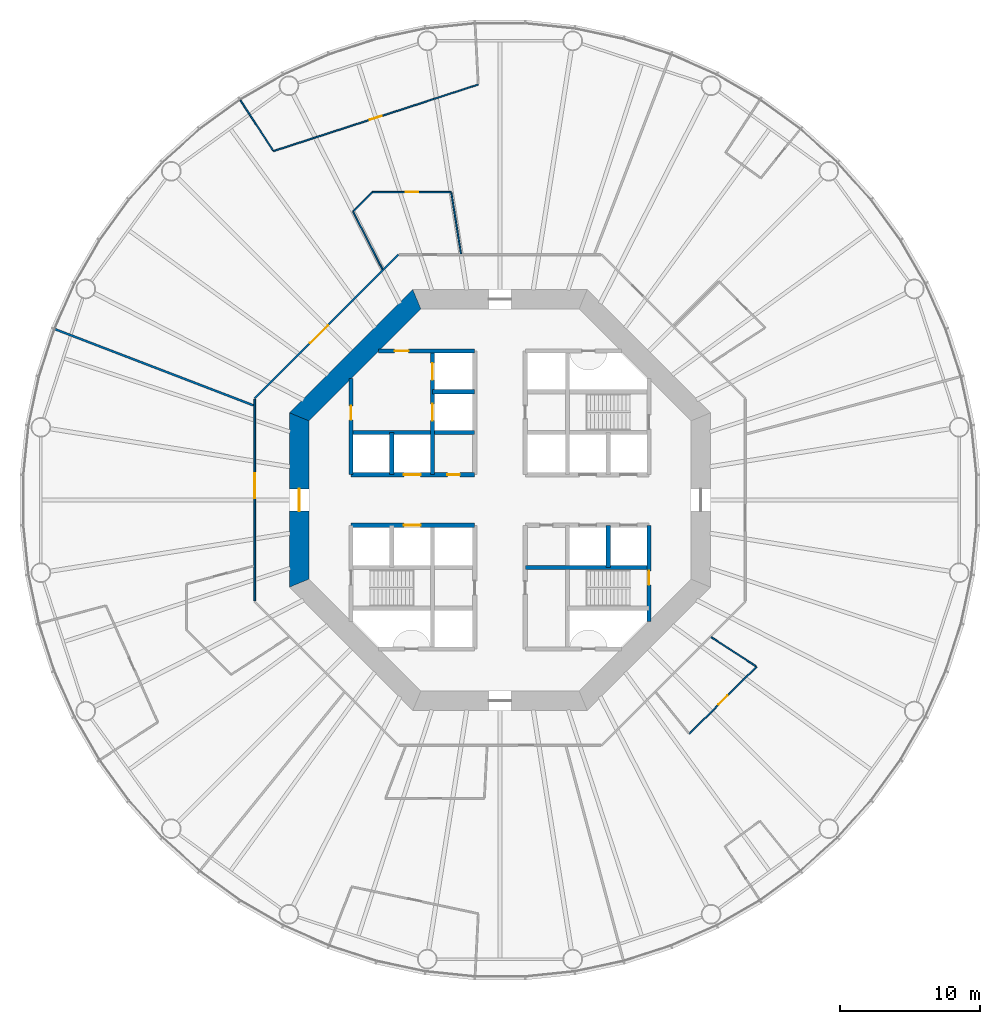
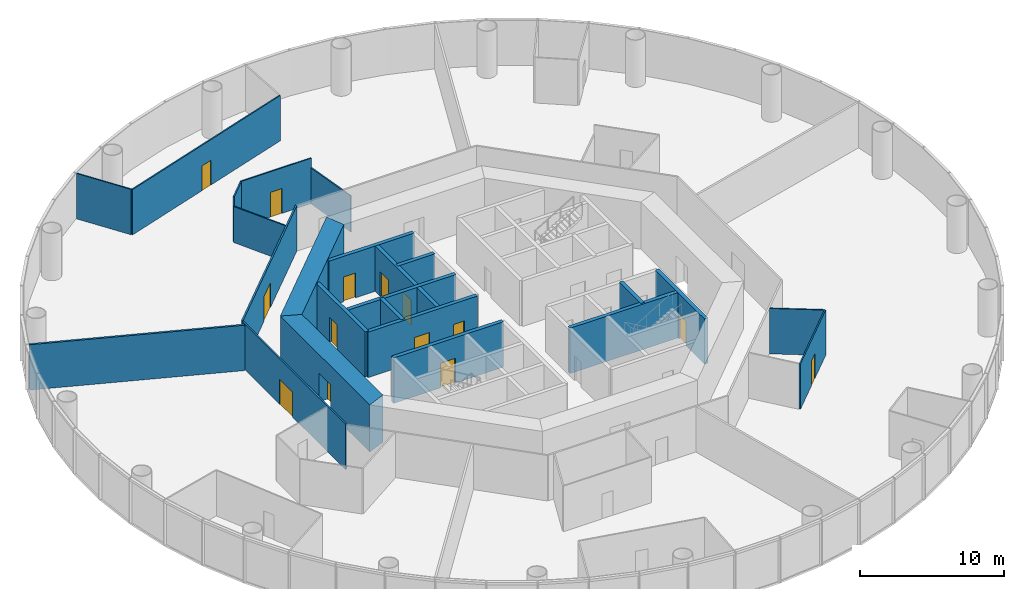
# One storey, part 4 of 13: 24 walls, 14 doors, 14 openings.
"""IFC4 building model written with IfcOpenShell, lengths in metres."""

from ifc_helpers import new_model, si_unit, direction, frame, frame_2d, origin, place, context, subcontext, project, spatial, polyline, rectangle, outline, extrude, material, layer, layer_set, type_object, element, fill, save


model = new_model("IFC4")

# Units and contexts
model_context = context("Model", 3, precision=1e-05, world=origin(), true_north=direction((0.0, 1.0)))
body_context = subcontext(model_context, "Body", "Model", "MODEL_VIEW")
ifc_project = project(units=[si_unit("LENGTHUNIT", "METRE"), si_unit("AREAUNIT", "SQUARE_METRE"), si_unit("VOLUMEUNIT", "CUBIC_METRE"), si_unit("PLANEANGLEUNIT", "RADIAN"), si_unit("MASSUNIT", "GRAM", prefix="KILO")], contexts=[model_context])

# Site, building, storey
site_placement = place(None, origin())
site = spatial("IfcSite", under=ifc_project, at=site_placement, CompositionType="ELEMENT")
building_placement = place(site_placement, origin())
building = spatial("IfcBuilding", under=site, at=building_placement, Name="Entoto Ring Tower", CompositionType="ELEMENT")
storey_placement = place(building_placement, frame((0.0, 0.0, 26.0)))
storey = spatial("IfcBuildingStorey", under=building, at=storey_placement, Name="L04", CompositionType="ELEMENT", Elevation=26.0)

# Wall, opening, door
ifc_material_1 = material(Name="Concrete C40/50", Category="concrete")
ifc_layer_1 = layer(ifc_material_1, 0.300048828125)
ifc_layer_set_1 = layer_set([ifc_layer_1], Name="Concrete C40/50")
wall_type_1 = type_object("IfcWallType", Name="Core enclosure wall 300 mm reinforced concrete", PredefinedType="SOLIDWALL", material=ifc_layer_set_1)
wall_1_placement = place(storey_placement, frame((100.60009765625, 71.36669921875, 0.0), z_axis=(0.0, 0.0, 1.0), x_axis=(0.0, 1.0, 0.0)))
wall_1 = element("IfcWall", 1, at=wall_1_placement, inside=storey, type_object=wall_type_1, Name="wall-L04-001", PredefinedType="SOLIDWALL", context=body_context, shape_type="SweptSolid", body=[
    extrude(rectangle(XDim=6.833251953125, YDim=0.300048828125, at=frame_2d((3.41650390625, 0.0))), origin(), (0.0, 0.0, 1.0), 3.85009765625),
])
opening_1_placement = place(wall_1_placement, frame((2.583251953125, 0.0, 0.0)))
opening_1 = element("IfcOpeningElement", 2, at=opening_1_placement, cuts=wall_1, Name="Opening K-59", PredefinedType="OPENING", context=body_context, shape_type="SweptSolid", body=[
    extrude(rectangle(XDim=1.0, YDim=2.10009765625, at=frame_2d((0.5, 1.050048828125))), frame((0.0, 0.16015625, 0.0), z_axis=(0.0, -1.0, 0.0), x_axis=(1.0, 0.0, 0.0)), (0.0, 0.0, 1.0), 0.320068359375),
])
ifc_material_2 = material(Name="Steel door leaf, fire rated", Category="steel")
ifc_layer_2 = layer(ifc_material_2, 0.050048828125)
ifc_layer_set_2 = layer_set([ifc_layer_2], Name="Steel door leaf, fire rated")
door_type_1 = type_object("IfcDoorType", Name="Fire door FD60 1000 x 2100 single leaf", OperationType="NOTDEFINED", PredefinedType="DOOR", material=ifc_layer_set_2)
door_1_placement = place(opening_1_placement, origin())
door_1 = element("IfcDoor", 3, at=door_1_placement, inside=storey, type_object=door_type_1, Name="Door K-59", OperationType="SINGLE_SWING_RIGHT", OverallHeight=2.10009765625, OverallWidth=1.0, PredefinedType="DOOR", context=body_context, shape_type="SweptSolid", body=[
    extrude(rectangle(XDim=1.0, YDim=2.10009765625, at=frame_2d((0.5, 1.050048828125))), frame((0.0, 0.02490234375, 0.0), z_axis=(0.0, -1.0, 0.0), x_axis=(1.0, 0.0, 0.0)), (0.0, 0.0, 1.0), 0.050048828125),
])
fill(opening_1, door_1)

# Wall
wall_2_placement = place(storey_placement, frame((97.699951171875, 75.199951171875, 0.0), z_axis=(0.0, 0.0, 1.0), x_axis=(0.0, 1.0, 0.0)))
element("IfcWall", 4, at=wall_2_placement, inside=storey, type_object=wall_type_1, Name="wall-L04-003", PredefinedType="SOLIDWALL", context=body_context, shape_type="SweptSolid", body=[
    extrude(rectangle(XDim=3.0, YDim=0.300048828125, at=frame_2d((1.5, 0.0))), origin(), (0.0, 0.0, 1.0), 3.85009765625),
])

# Wall, openings, doors
wall_3_placement = place(storey_placement, frame((85.199951171875, 81.800048828125, 0.0), z_axis=(0.0, 0.0, 1.0), x_axis=(0.0, 1.0, 0.0)))
wall_3 = element("IfcWall", 5, at=wall_3_placement, inside=storey, type_object=wall_type_1, Name="wall-L04-012", PredefinedType="SOLIDWALL", context=body_context, shape_type="SweptSolid", body=[
    extrude(rectangle(XDim=8.800048828125, YDim=0.300048828125, at=frame_2d((4.39990234375, 0.0))), origin(), (0.0, 0.0, 1.0), 3.85009765625),
])
opening_2_placement = place(wall_3_placement, frame((3.85009765625, 0.0, 0.0)))
opening_2 = element("IfcOpeningElement", 6, at=opening_2_placement, cuts=wall_3, Name="Opening LD", PredefinedType="OPENING", context=body_context, shape_type="SweptSolid", body=[
    extrude(rectangle(XDim=1.199951171875, YDim=2.10009765625, at=frame_2d((0.60009765625, 1.050048828125))), frame((0.0, 0.16015625, 0.0), z_axis=(0.0, -1.0, 0.0), x_axis=(1.0, 0.0, 0.0)), (0.0, 0.0, 1.0), 0.320068359375),
])
opening_3_placement = place(wall_3_placement, frame((6.75, 0.0, 0.0)))
opening_3 = element("IfcOpeningElement", 7, at=opening_3_placement, cuts=wall_3, Name="Opening LD", PredefinedType="OPENING", context=body_context, shape_type="SweptSolid", body=[
    extrude(rectangle(XDim=1.199951171875, YDim=2.10009765625, at=frame_2d((0.60009765625, 1.050048828125))), frame((0.0, 0.16015625, 0.0), z_axis=(0.0, -1.0, 0.0), x_axis=(1.0, 0.0, 0.0)), (0.0, 0.0, 1.0), 0.320068359375),
])
ifc_material_3 = material(Name="Steel and glass door leaf", Category="steel")
ifc_layer_3 = layer(ifc_material_3, 0.050048828125)
ifc_layer_set_3 = layer_set([ifc_layer_3], Name="Steel and glass door leaf")
door_type_2 = type_object("IfcDoorType", Name="Landing door 1200 x 2100 sliding", OperationType="DOUBLE_DOOR_SLIDING", PredefinedType="DOOR", material=ifc_layer_set_3)
door_2_placement = place(opening_2_placement, origin())
door_2 = element("IfcDoor", 8, at=door_2_placement, inside=storey, type_object=door_type_2, Name="Landing door FF1", OperationType="SLIDING_TO_RIGHT", OverallHeight=2.10009765625, OverallWidth=1.199951171875, PredefinedType="DOOR", context=body_context, shape_type="SweptSolid", body=[
    extrude(rectangle(XDim=1.199951171875, YDim=2.10009765625, at=frame_2d((0.60009765625, 1.050048828125))), frame((0.0, 0.02490234375, 0.0), z_axis=(0.0, -1.0, 0.0), x_axis=(1.0, 0.0, 0.0)), (0.0, 0.0, 1.0), 0.050048828125),
])
fill(opening_2, door_2)
door_3_placement = place(opening_3_placement, origin())
door_3 = element("IfcDoor", 9, at=door_3_placement, inside=storey, type_object=door_type_2, Name="Landing door FF2", OperationType="SLIDING_TO_RIGHT", OverallHeight=2.10009765625, OverallWidth=1.199951171875, PredefinedType="DOOR", context=body_context, shape_type="SweptSolid", body=[
    extrude(rectangle(XDim=1.199951171875, YDim=2.10009765625, at=frame_2d((0.60009765625, 1.050048828125))), frame((0.0, 0.02490234375, 0.0), z_axis=(0.0, -1.0, 0.0), x_axis=(1.0, 0.0, 0.0)), (0.0, 0.0, 1.0), 0.050048828125),
])
fill(opening_3, door_3)

# Wall
wall_4_placement = place(storey_placement, frame((82.300048828125, 81.800048828125, 0.0), z_axis=(0.0, 0.0, 1.0), x_axis=(0.0, 1.0, 0.0)))
element("IfcWall", 10, at=wall_4_placement, inside=storey, type_object=wall_type_1, Name="wall-L04-014", PredefinedType="SOLIDWALL", context=body_context, shape_type="SweptSolid", body=[
    extrude(rectangle(XDim=3.0, YDim=0.300048828125, at=frame_2d((1.5, 0.0))), origin(), (0.0, 0.0, 1.0), 3.85009765625),
])

# Wall, opening, door
wall_5_placement = place(storey_placement, frame((79.39990234375, 81.800048828125, 0.0), z_axis=(0.0, 0.0, 1.0), x_axis=(0.0, 1.0, 0.0)))
wall_5 = element("IfcWall", 11, at=wall_5_placement, inside=storey, type_object=wall_type_1, Name="wall-L04-016", PredefinedType="SOLIDWALL", context=body_context, shape_type="SweptSolid", body=[
    extrude(rectangle(XDim=6.833251953125, YDim=0.300048828125, at=frame_2d((3.41650390625, 0.0))), origin(), (0.0, 0.0, 1.0), 3.85009765625),
])
opening_4_placement = place(wall_5_placement, frame((3.89990234375, 0.0, 0.0)))
opening_4 = element("IfcOpeningElement", 12, at=opening_4_placement, cuts=wall_5, Name="Opening K-22", PredefinedType="OPENING", context=body_context, shape_type="SweptSolid", body=[
    extrude(rectangle(XDim=1.0, YDim=2.10009765625, at=frame_2d((0.5, 1.050048828125))), frame((0.0, 0.16015625, 0.0), z_axis=(0.0, -1.0, 0.0), x_axis=(1.0, 0.0, 0.0)), (0.0, 0.0, 1.0), 0.320068359375),
])
door_4_placement = place(opening_4_placement, frame((1.0, 0.0, 0.0), z_axis=(0.0, 0.0, 1.0), x_axis=(-1.0, 0.0, 0.0)))
door_4 = element("IfcDoor", 13, at=door_4_placement, inside=storey, type_object=door_type_1, Name="Door K-22", OperationType="SINGLE_SWING_LEFT", OverallHeight=2.10009765625, OverallWidth=1.0, PredefinedType="DOOR", context=body_context, shape_type="SweptSolid", body=[
    extrude(rectangle(XDim=1.0, YDim=2.10009765625, at=frame_2d((0.5, 1.050048828125))), frame((0.0, 0.02490234375, 0.0), z_axis=(0.0, -1.0, 0.0), x_axis=(1.0, 0.0, 0.0)), (0.0, 0.0, 1.0), 0.050048828125),
])
fill(opening_4, door_4)

# Wall
wall_6_placement = place(storey_placement, frame((91.800048828125, 75.199951171875, 0.0), z_axis=(0.0, 0.0, 1.0), x_axis=(1.0, 0.0, 0.0)))
element("IfcWall", 14, at=wall_6_placement, inside=storey, type_object=wall_type_1, Name="wall-L04-022", PredefinedType="SOLIDWALL", context=body_context, shape_type="SweptSolid", body=[
    extrude(rectangle(XDim=8.800048828125, YDim=0.300048828125, at=frame_2d((4.39990234375, 0.0))), origin(), (0.0, 0.0, 1.0), 3.85009765625),
])

# Wall, opening, door
wall_7_placement = place(storey_placement, frame((79.39990234375, 78.199951171875, 0.0), z_axis=(0.0, 0.0, 1.0), x_axis=(1.0, 0.0, 0.0)))
wall_7 = element("IfcWall", 15, at=wall_7_placement, inside=storey, type_object=wall_type_1, Name="wall-L04-023", PredefinedType="SOLIDWALL", context=body_context, shape_type="SweptSolid", body=[
    extrude(rectangle(XDim=8.800048828125, YDim=0.300048828125, at=frame_2d((4.39990234375, 0.0))), origin(), (0.0, 0.0, 1.0), 3.85009765625),
])
opening_5_placement = place(wall_7_placement, frame((3.75, 0.0, 0.0)))
opening_5 = element("IfcOpeningElement", 16, at=opening_5_placement, cuts=wall_7, Name="Opening LD", PredefinedType="OPENING", context=body_context, shape_type="SweptSolid", body=[
    extrude(rectangle(XDim=1.199951171875, YDim=2.10009765625, at=frame_2d((0.60009765625, 1.050048828125))), frame((0.0, 0.16015625, 0.0), z_axis=(0.0, -1.0, 0.0), x_axis=(1.0, 0.0, 0.0)), (0.0, 0.0, 1.0), 0.320068359375),
])
door_5_placement = place(opening_5_placement, origin())
door_5 = element("IfcDoor", 17, at=door_5_placement, inside=storey, type_object=door_type_2, Name="Landing door LB6-LR", OperationType="SLIDING_TO_RIGHT", OverallHeight=2.10009765625, OverallWidth=1.199951171875, PredefinedType="DOOR", context=body_context, shape_type="SweptSolid", body=[
    extrude(rectangle(XDim=1.199951171875, YDim=2.10009765625, at=frame_2d((0.60009765625, 1.050048828125))), frame((0.0, 0.02490234375, 0.0), z_axis=(0.0, -1.0, 0.0), x_axis=(1.0, 0.0, 0.0)), (0.0, 0.0, 1.0), 0.050048828125),
])
fill(opening_5, door_5)

# Wall, openings, doors
wall_8_placement = place(storey_placement, frame((79.39990234375, 81.800048828125, 0.0), z_axis=(0.0, 0.0, 1.0), x_axis=(1.0, 0.0, 0.0)))
wall_8 = element("IfcWall", 18, at=wall_8_placement, inside=storey, type_object=wall_type_1, Name="wall-L04-025", PredefinedType="SOLIDWALL", context=body_context, shape_type="SweptSolid", body=[
    extrude(rectangle(XDim=8.800048828125, YDim=0.300048828125, at=frame_2d((4.39990234375, 0.0))), origin(), (0.0, 0.0, 1.0), 3.85009765625),
])
opening_6_placement = place(wall_8_placement, frame((3.75, 0.0, 0.0)))
opening_6 = element("IfcOpeningElement", 19, at=opening_6_placement, cuts=wall_8, Name="Opening LD", PredefinedType="OPENING", context=body_context, shape_type="SweptSolid", body=[
    extrude(rectangle(XDim=1.199951171875, YDim=2.10009765625, at=frame_2d((0.60009765625, 1.050048828125))), frame((0.0, 0.16015625, 0.0), z_axis=(0.0, -1.0, 0.0), x_axis=(1.0, 0.0, 0.0)), (0.0, 0.0, 1.0), 0.320068359375),
])
opening_7_placement = place(wall_8_placement, frame((6.85009765625, 0.0, 0.0)))
opening_7 = element("IfcOpeningElement", 20, at=opening_7_placement, cuts=wall_8, Name="Opening K-14", PredefinedType="OPENING", context=body_context, shape_type="SweptSolid", body=[
    extrude(rectangle(XDim=0.89990234375, YDim=2.10009765625, at=frame_2d((0.449951171875, 1.050048828125))), frame((0.0, 0.16015625, 0.0), z_axis=(0.0, -1.0, 0.0), x_axis=(1.0, 0.0, 0.0)), (0.0, 0.0, 1.0), 0.320068359375),
])
ifc_material_4 = material(Name="Steel door leaf, fire rated", Category="steel")
ifc_layer_4 = layer(ifc_material_4, 0.050048828125)
ifc_layer_set_4 = layer_set([ifc_layer_4], Name="Steel door leaf, fire rated")
door_type_3 = type_object("IfcDoorType", Name="Core door 900 x 2100 single leaf", OperationType="NOTDEFINED", PredefinedType="DOOR", material=ifc_layer_set_4)
door_6_placement = place(opening_7_placement, frame((0.89990234375, 0.0, 0.0), z_axis=(0.0, 0.0, 1.0), x_axis=(-1.0, 0.0, 0.0)))
door_6 = element("IfcDoor", 21, at=door_6_placement, inside=storey, type_object=door_type_3, Name="Door K-14", OperationType="SINGLE_SWING_RIGHT", OverallHeight=2.10009765625, OverallWidth=0.89990234375, PredefinedType="DOOR", context=body_context, shape_type="SweptSolid", body=[
    extrude(rectangle(XDim=0.89990234375, YDim=2.10009765625, at=frame_2d((0.449951171875, 1.050048828125))), frame((0.0, 0.02490234375, 0.0), z_axis=(0.0, -1.0, 0.0), x_axis=(1.0, 0.0, 0.0)), (0.0, 0.0, 1.0), 0.050048828125),
])
fill(opening_7, door_6)
door_7_placement = place(opening_6_placement, origin())
door_7 = element("IfcDoor", 22, at=door_7_placement, inside=storey, type_object=door_type_2, Name="Landing door LB3-LR", OperationType="SLIDING_TO_RIGHT", OverallHeight=2.10009765625, OverallWidth=1.199951171875, PredefinedType="DOOR", context=body_context, shape_type="SweptSolid", body=[
    extrude(rectangle(XDim=1.199951171875, YDim=2.10009765625, at=frame_2d((0.60009765625, 1.050048828125))), frame((0.0, 0.02490234375, 0.0), z_axis=(0.0, -1.0, 0.0), x_axis=(1.0, 0.0, 0.0)), (0.0, 0.0, 1.0), 0.050048828125),
])
fill(opening_6, door_7)

# Walls
wall_9_placement = place(storey_placement, frame((79.39990234375, 84.800048828125, 0.0), z_axis=(0.0, 0.0, 1.0), x_axis=(1.0, 0.0, 0.0)))
element("IfcWall", 23, at=wall_9_placement, inside=storey, type_object=wall_type_1, Name="wall-L04-027", PredefinedType="SOLIDWALL", context=body_context, shape_type="SweptSolid", body=[
    extrude(rectangle(XDim=8.800048828125, YDim=0.300048828125, at=frame_2d((4.39990234375, 0.0))), origin(), (0.0, 0.0, 1.0), 3.85009765625),
])
wall_10_placement = place(storey_placement, frame((85.199951171875, 87.699951171875, 0.0), z_axis=(0.0, 0.0, 1.0), x_axis=(1.0, 0.0, 0.0)))
element("IfcWall", 24, at=wall_10_placement, inside=storey, type_object=wall_type_1, Name="wall-L04-029", PredefinedType="SOLIDWALL", context=body_context, shape_type="SweptSolid", body=[
    extrude(rectangle(XDim=3.0, YDim=0.300048828125, at=frame_2d((1.5, 0.0))), origin(), (0.0, 0.0, 1.0), 3.85009765625),
])

# Wall, opening, door
wall_11_placement = place(storey_placement, frame((81.36669921875, 90.60009765625, 0.0), z_axis=(0.0, 0.0, 1.0), x_axis=(1.0, 0.0, 0.0)))
wall_11 = element("IfcWall", 25, at=wall_11_placement, inside=storey, type_object=wall_type_1, Name="wall-L04-031", PredefinedType="SOLIDWALL", context=body_context, shape_type="SweptSolid", body=[
    extrude(rectangle(XDim=6.833251953125, YDim=0.300048828125, at=frame_2d((3.41650390625, 0.0))), origin(), (0.0, 0.0, 1.0), 3.85009765625),
])
opening_8_placement = place(wall_11_placement, frame((1.13330078125, 0.0, 0.0)))
opening_8 = element("IfcOpeningElement", 26, at=opening_8_placement, cuts=wall_11, Name="Opening K-23", PredefinedType="OPENING", context=body_context, shape_type="SweptSolid", body=[
    extrude(rectangle(XDim=1.0, YDim=2.10009765625, at=frame_2d((0.5, 1.050048828125))), frame((0.0, 0.16015625, 0.0), z_axis=(0.0, -1.0, 0.0), x_axis=(1.0, 0.0, 0.0)), (0.0, 0.0, 1.0), 0.320068359375),
])
door_8_placement = place(opening_8_placement, frame((1.0, 0.0, 0.0), z_axis=(0.0, 0.0, 1.0), x_axis=(-1.0, 0.0, 0.0)))
door_8 = element("IfcDoor", 27, at=door_8_placement, inside=storey, type_object=door_type_1, Name="Door K-23", OperationType="SINGLE_SWING_RIGHT", OverallHeight=2.10009765625, OverallWidth=1.0, PredefinedType="DOOR", context=body_context, shape_type="SweptSolid", body=[
    extrude(rectangle(XDim=1.0, YDim=2.10009765625, at=frame_2d((0.5, 1.050048828125))), frame((0.0, 0.02490234375, 0.0), z_axis=(0.0, -1.0, 0.0), x_axis=(1.0, 0.0, 0.0)), (0.0, 0.0, 1.0), 0.050048828125),
])
fill(opening_8, door_8)

# Wall
ifc_material_5 = material(Name="Concrete C60/75", Category="concrete")
ifc_layer_5 = layer(ifc_material_5, 1.39990234375)
ifc_layer_set_5 = layer_set([ifc_layer_5], Name="Concrete C60/75")
wall_type_2 = type_object("IfcWallType", Name="Core shear wall 1400 mm reinforced concrete C60/75", PredefinedType="SHEAR", material=ifc_layer_set_5)
wall_12_placement = place(storey_placement, frame((84.07666015625, 94.300048828125, 0.0), z_axis=(0.0, 0.0, 1.0), x_axis=(-0.707106781187, -0.707106781187, 0.0)))
element("IfcWall", 28, at=wall_12_placement, inside=storey, type_object=wall_type_2, Name="wall-L04-core-3", PredefinedType="SHEAR", context=body_context, shape_type="SweptSolid", body=[
    extrude(outline(polyline([(-0.2900390625, -0.699951171875), (12.136474609375, -0.699951171875), (11.556396484375, 0.699951171875), (0.2900390625, 0.699951171875), (-0.2900390625, -0.699951171875)])), origin(), (0.0, 0.0, 1.0), 4.0),
])

# Wall, opening, door
wall_13_placement = place(storey_placement, frame((75.699951171875, 85.92333984375, 0.0), z_axis=(0.0, 0.0, 1.0), x_axis=(0.0, -1.0, 0.0)))
wall_13 = element("IfcWall", 29, at=wall_13_placement, inside=storey, type_object=wall_type_2, Name="wall-L04-core-4", PredefinedType="SHEAR", context=body_context, shape_type="SweptSolid", body=[
    extrude(outline(polyline([(-0.2900390625, -0.699951171875), (12.13671875, -0.699951171875), (11.556640625, 0.699951171875), (0.2900390625, 0.699951171875), (-0.2900390625, -0.699951171875)])), origin(), (0.0, 0.0, 1.0), 4.0),
])
opening_9_placement = place(wall_13_placement, frame((5.123291015625, 0.0, 0.0)))
opening_9 = element("IfcOpeningElement", 30, at=opening_9_placement, cuts=wall_13, Name="Opening K-03", PredefinedType="OPENING", context=body_context, shape_type="SweptSolid", body=[
    extrude(rectangle(XDim=1.60009765625, YDim=2.39990234375, at=frame_2d((0.800048828125, 1.199951171875))), frame((0.0, 0.7099609375, 0.0), z_axis=(0.0, -1.0, 0.0), x_axis=(1.0, 0.0, 0.0)), (0.0, 0.0, 1.0), 1.419921875),
])
ifc_material_6 = material(Name="Steel door leaf, fire rated", Category="steel")
ifc_layer_6 = layer(ifc_material_6, 0.050048828125)
ifc_layer_set_6 = layer_set([ifc_layer_6], Name="Steel door leaf, fire rated")
door_type_4 = type_object("IfcDoorType", Name="Entrance door FD60 1600 x 2400 double leaf", OperationType="DOUBLE_DOOR_SINGLE_SWING", PredefinedType="DOOR", material=ifc_layer_set_6)
door_9_placement = place(opening_9_placement, origin())
door_9 = element("IfcDoor", 31, at=door_9_placement, inside=storey, type_object=door_type_4, Name="Entrance door K-03", OperationType="DOUBLE_DOOR_SINGLE_SWING", OverallHeight=2.39990234375, OverallWidth=1.60009765625, PredefinedType="DOOR", context=body_context, shape_type="SweptSolid", body=[
    extrude(rectangle(XDim=1.60009765625, YDim=2.39990234375, at=frame_2d((0.800048828125, 1.199951171875))), frame((0.0, 0.02490234375, 0.0), z_axis=(0.0, -1.0, 0.0), x_axis=(1.0, 0.0, 0.0)), (0.0, 0.0, 1.0), 0.050048828125),
])
fill(opening_9, door_9)

ifc_material_7 = material(Name="Fire-resisting plasterboard on steel studs", Category="steel")
ifc_layer_7 = layer(ifc_material_7, 0.125)
ifc_layer_set_7 = layer_set([ifc_layer_7], Name="Fire-resisting plasterboard on steel studs")
wall_type_3 = type_object("IfcWallType", Name="Corridor wall 125 mm one-hour plasterboard on steel studs", PredefinedType="PARTITIONING", material=ifc_layer_set_7)
wall_14_placement = place(storey_placement, frame((72.53759765625, 87.233154296875, 0.0), z_axis=(0.0, 0.0, 1.0), x_axis=(0.707106781187, 0.707106781187, 0.0)))
wall_14 = element("IfcWall", 32, at=wall_14_placement, inside=storey, type_object=wall_type_3, Name="partition-L04-001", PredefinedType="PARTITIONING", context=body_context, shape_type="SweptSolid", body=[
    extrude(rectangle(XDim=14.46630859375, YDim=0.125, at=frame_2d((7.233154296875, 0.0))), origin(), (0.0, 0.0, 1.0), 3.85009765625),
])
opening_10_placement = place(wall_14_placement, frame((5.5537109375, 0.0, 0.0)))
opening_10 = element("IfcOpeningElement", 33, at=opening_10_placement, cuts=wall_14, Name="Opening A02-D01", PredefinedType="OPENING", context=body_context, shape_type="SweptSolid", body=[
    extrude(rectangle(XDim=1.800048828125, YDim=2.10009765625, at=frame_2d((0.89990234375, 1.050048828125))), frame((0.0, 0.072509765625, 0.0), z_axis=(0.0, -1.0, 0.0), x_axis=(1.0, 0.0, 0.0)), (0.0, 0.0, 1.0), 0.14501953125),
])
ifc_material_8 = material(Name="Fire-resisting timber door set", Category="wood")
door_type_5 = type_object("IfcDoorType", Name="Door 1800 x 2100 double leaf FD30S fire door", OperationType="DOUBLE_DOOR_SINGLE_SWING", PredefinedType="DOOR", material=ifc_material_8)
door_10_placement = place(opening_10_placement, frame((1.800048828125, 0.0, 0.0), z_axis=(0.0, 0.0, 1.0), x_axis=(-1.0, 0.0, 0.0)))
door_10 = element("IfcDoor", 34, at=door_10_placement, inside=storey, type_object=door_type_5, Name="Door A02-D01", OperationType="DOUBLE_DOOR_SINGLE_SWING", OverallHeight=2.10009765625, OverallWidth=1.800048828125, PredefinedType="DOOR", context=body_context, shape_type="SweptSolid", body=[
    extrude(rectangle(XDim=1.800048828125, YDim=2.10009765625, at=frame_2d((0.89990234375, 1.050048828125))), frame((0.0, 0.02490234375, 0.0), z_axis=(0.0, -1.0, 0.0), x_axis=(1.0, 0.0, 0.0)), (0.0, 0.0, 1.0), 0.050048828125),
])
fill(opening_10, door_10)

wall_15_placement = place(storey_placement, frame((72.53759765625, 72.810791015625, 0.0), z_axis=(0.0, 0.0, 1.0), x_axis=(0.0, 1.0, 0.0)))
wall_15 = element("IfcWall", 35, at=wall_15_placement, inside=storey, type_object=wall_type_3, Name="partition-L04-005", PredefinedType="PARTITIONING", context=body_context, shape_type="SweptSolid", body=[
    extrude(rectangle(XDim=14.37841796875, YDim=0.125, at=frame_2d((7.189208984375, 0.0))), origin(), (0.0, 0.0, 1.0), 3.85009765625),
])
opening_11_placement = place(wall_15_placement, frame((7.30126953125, 0.0, 0.0)))
opening_11 = element("IfcOpeningElement", 36, at=opening_11_placement, cuts=wall_15, Name="Opening A02-D05", PredefinedType="OPENING", context=body_context, shape_type="SweptSolid", body=[
    extrude(rectangle(XDim=1.800048828125, YDim=2.10009765625, at=frame_2d((0.89990234375, 1.050048828125))), frame((0.0, 0.072509765625, 0.0), z_axis=(0.0, -1.0, 0.0), x_axis=(1.0, 0.0, 0.0)), (0.0, 0.0, 1.0), 0.14501953125),
])
door_11_placement = place(opening_11_placement, origin())
door_11 = element("IfcDoor", 37, at=door_11_placement, inside=storey, type_object=door_type_5, Name="Door A02-D05", OperationType="DOUBLE_DOOR_SINGLE_SWING", OverallHeight=2.10009765625, OverallWidth=1.800048828125, PredefinedType="DOOR", context=body_context, shape_type="SweptSolid", body=[
    extrude(rectangle(XDim=1.800048828125, YDim=2.10009765625, at=frame_2d((0.89990234375, 1.050048828125))), frame((0.0, 0.02490234375, 0.0), z_axis=(0.0, -1.0, 0.0), x_axis=(1.0, 0.0, 0.0)), (0.0, 0.0, 1.0), 0.050048828125),
])
fill(opening_11, door_11)

ifc_material_9 = material(Name="Plasterboard on steel studs", Category="steel")
ifc_layer_8 = layer(ifc_material_9, 0.10009765625)
ifc_layer_set_8 = layer_set([ifc_layer_8], Name="Plasterboard on steel studs")
wall_type_4 = type_object("IfcWallType", Name="Partition 100 mm plasterboard on steel studs", PredefinedType="PARTITIONING", material=ifc_layer_set_8)
wall_16_placement = place(storey_placement, frame((73.867919921875, 104.84130859375, 0.0), z_axis=(0.0, 0.0, 1.0), x_axis=(0.951054076694, 0.309024502594, 0.0)))
wall_16 = element("IfcWall", 38, at=wall_16_placement, inside=storey, type_object=wall_type_4, Name="partition-L04-014", PredefinedType="PARTITIONING", context=body_context, shape_type="SweptSolid", body=[
    extrude(rectangle(XDim=15.332275390625, YDim=0.10009765625, at=frame_2d((7.666015625, 0.0))), origin(), (0.0, 0.0, 1.0), 3.85009765625),
])
opening_12_placement = place(wall_16_placement, frame((7.21630859375, 0.0, 0.0)))
opening_12 = element("IfcOpeningElement", 39, at=opening_12_placement, cuts=wall_16, Name="Opening A02-D04", PredefinedType="OPENING", context=body_context, shape_type="SweptSolid", body=[
    extrude(rectangle(XDim=0.89990234375, YDim=2.10009765625, at=frame_2d((0.449951171875, 1.050048828125))), frame((0.0, 0.06005859375, 0.0), z_axis=(0.0, -1.0, 0.0), x_axis=(1.0, 0.0, 0.0)), (0.0, 0.0, 1.0), 0.1201171875),
])
ifc_material_10 = material(Name="Veneered timber door leaf in timber frame", Category="wood")
door_type_6 = type_object("IfcDoorType", Name="Door 900 x 2100 single leaf timber veneer", OperationType="NOTDEFINED", PredefinedType="DOOR", material=ifc_material_10)
door_12_placement = place(opening_12_placement, origin())
door_12 = element("IfcDoor", 40, at=door_12_placement, inside=storey, type_object=door_type_6, Name="Door A02-D04", OperationType="SINGLE_SWING_LEFT", OverallHeight=2.10009765625, OverallWidth=0.89990234375, PredefinedType="DOOR", context=body_context, shape_type="SweptSolid", body=[
    extrude(rectangle(XDim=0.89990234375, YDim=2.10009765625, at=frame_2d((0.449951171875, 1.050048828125))), frame((0.0, 0.02490234375, 0.0), z_axis=(0.0, -1.0, 0.0), x_axis=(1.0, 0.0, 0.0)), (0.0, 0.0, 1.0), 0.050048828125),
])
fill(opening_12, door_12)

wall_17_placement = place(storey_placement, frame((103.47998046875, 63.353759765625, 0.0), z_axis=(0.0, 0.0, 1.0), x_axis=(0.707106781187, 0.707106781187, 0.0)))
wall_17 = element("IfcWall", 41, at=wall_17_placement, inside=storey, type_object=wall_type_4, Name="partition-L04-018", PredefinedType="PARTITIONING", context=body_context, shape_type="SweptSolid", body=[
    extrude(rectangle(XDim=6.766845703125, YDim=0.10009765625, at=frame_2d((3.38330078125, 0.0))), origin(), (0.0, 0.0, 1.0), 3.85009765625),
])
opening_13_placement = place(wall_17_placement, frame((2.93359375, 0.0, 0.0)))
opening_13 = element("IfcOpeningElement", 42, at=opening_13_placement, cuts=wall_17, Name="Opening A02-D12", PredefinedType="OPENING", context=body_context, shape_type="SweptSolid", body=[
    extrude(rectangle(XDim=0.89990234375, YDim=2.10009765625, at=frame_2d((0.449951171875, 1.050048828125))), frame((0.0, 0.06005859375, 0.0), z_axis=(0.0, -1.0, 0.0), x_axis=(1.0, 0.0, 0.0)), (0.0, 0.0, 1.0), 0.1201171875),
])
door_13_placement = place(opening_13_placement, origin())
door_13 = element("IfcDoor", 43, at=door_13_placement, inside=storey, type_object=door_type_6, Name="Door A02-D12", OperationType="SINGLE_SWING_RIGHT", OverallHeight=2.10009765625, OverallWidth=0.89990234375, PredefinedType="DOOR", context=body_context, shape_type="SweptSolid", body=[
    extrude(rectangle(XDim=0.89990234375, YDim=2.10009765625, at=frame_2d((0.449951171875, 1.050048828125))), frame((0.0, 0.02490234375, 0.0), z_axis=(0.0, -1.0, 0.0), x_axis=(1.0, 0.0, 0.0)), (0.0, 0.0, 1.0), 0.050048828125),
])
fill(opening_13, door_13)

wall_18_placement = place(storey_placement, frame((80.91943359375, 101.922607421875, 0.0), z_axis=(0.0, 0.0, 1.0), x_axis=(1.0, 0.0, 0.0)))
wall_18 = element("IfcWall", 44, at=wall_18_placement, inside=storey, type_object=wall_type_4, Name="partition-L04-019", PredefinedType="PARTITIONING", context=body_context, shape_type="SweptSolid", body=[
    extrude(rectangle(XDim=5.6083984375, YDim=0.10009765625, at=frame_2d((2.80419921875, 0.0))), origin(), (0.0, 0.0, 1.0), 3.85009765625),
])
opening_14_placement = place(wall_18_placement, frame((2.354248046875, 0.0, 0.0)))
opening_14 = element("IfcOpeningElement", 45, at=opening_14_placement, cuts=wall_18, Name="Opening A02-D02", PredefinedType="OPENING", context=body_context, shape_type="SweptSolid", body=[
    extrude(rectangle(XDim=0.89990234375, YDim=2.10009765625, at=frame_2d((0.449951171875, 1.050048828125))), frame((0.0, 0.06005859375, 0.0), z_axis=(0.0, -1.0, 0.0), x_axis=(1.0, 0.0, 0.0)), (0.0, 0.0, 1.0), 0.1201171875),
])
door_14_placement = place(opening_14_placement, frame((0.89990234375, 0.0, 0.0), z_axis=(0.0, 0.0, 1.0), x_axis=(-1.0, 0.0, 0.0)))
door_14 = element("IfcDoor", 46, at=door_14_placement, inside=storey, type_object=door_type_6, Name="Door A02-D02", OperationType="SINGLE_SWING_LEFT", OverallHeight=2.10009765625, OverallWidth=0.89990234375, PredefinedType="DOOR", context=body_context, shape_type="SweptSolid", body=[
    extrude(rectangle(XDim=0.89990234375, YDim=2.10009765625, at=frame_2d((0.449951171875, 1.050048828125))), frame((0.0, 0.02490234375, 0.0), z_axis=(0.0, -1.0, 0.0), x_axis=(1.0, 0.0, 0.0)), (0.0, 0.0, 1.0), 0.050048828125),
])
fill(opening_14, door_14)

# Walls
wall_19_placement = place(storey_placement, frame((73.841552734375, 104.8818359375, 0.0), z_axis=(0.0, 0.0, 1.0), x_axis=(-0.544636766673, 0.83867204102, 0.0)))
element("IfcWall", 47, at=wall_19_placement, inside=storey, type_object=wall_type_4, Name="partition-L04-036", PredefinedType="PARTITIONING", context=body_context, shape_type="SweptSolid", body=[
    extrude(rectangle(XDim=4.27197265625, YDim=0.10009765625, at=frame_2d((2.135986328125, 0.0))), origin(), (0.0, 0.0, 1.0), 3.85009765625),
])
wall_20_placement = place(storey_placement, frame((108.213134765625, 68.172119140625, 0.0), z_axis=(0.0, 0.0, 1.0), x_axis=(-0.83867021624, 0.544639576593, 0.0)))
element("IfcWall", 48, at=wall_20_placement, inside=storey, type_object=wall_type_4, Name="partition-L04-039", PredefinedType="PARTITIONING", context=body_context, shape_type="SweptSolid", body=[
    extrude(rectangle(XDim=3.78955078125, YDim=0.10009765625, at=frame_2d((1.894775390625, 0.0))), origin(), (0.0, 0.0, 1.0), 3.85009765625),
])
wall_21_placement = place(storey_placement, frame((79.568603515625, 100.57177734375, 0.0), z_axis=(0.0, 0.0, 1.0), x_axis=(0.707106781187, 0.707106781187, 0.0)))
element("IfcWall", 49, at=wall_21_placement, inside=storey, type_object=wall_type_4, Name="partition-L04-045", PredefinedType="PARTITIONING", context=body_context, shape_type="SweptSolid", body=[
    extrude(rectangle(XDim=1.875244140625, YDim=0.10009765625, at=frame_2d((0.9375, 0.0))), origin(), (0.0, 0.0, 1.0), 3.85009765625),
])
ifc_material_11 = material(Name="Plasterboard on steel studs", Category="steel")
ifc_layer_9 = layer(ifc_material_11, 0.10009765625)
ifc_layer_set_9 = layer_set([ifc_layer_9], Name="Plasterboard on steel studs")
wall_type_5 = type_object("IfcWallType", Name="Partition 100 mm plasterboard on steel studs, 3050 mm high", PredefinedType="PARTITIONING", material=ifc_layer_set_9)
wall_22_placement = place(storey_placement, frame((81.627197265625, 96.432861328125, 0.0), z_axis=(0.0, 0.0, 1.0), x_axis=(-0.454024993682, 0.890988947806, 0.0)))
element("IfcWall", 50, at=wall_22_placement, inside=storey, type_object=wall_type_5, Name="partition-L04-024", PredefinedType="PARTITIONING", context=body_context, shape_type="SweptSolid", body=[
    extrude(rectangle(XDim=4.607666015625, YDim=0.10009765625, at=frame_2d((2.3037109375, 0.0))), origin(), (0.0, 0.0, 1.0), 3.050048828125),
])
wall_23_placement = place(storey_placement, frame((87.22314453125, 97.53271484375, 0.0), z_axis=(0.0, 0.0, 1.0), x_axis=(-0.156475987125, 0.987681763248, 0.0)))
element("IfcWall", 51, at=wall_23_placement, inside=storey, type_object=wall_type_5, Name="partition-L04-030", PredefinedType="PARTITIONING", context=body_context, shape_type="SweptSolid", body=[
    extrude(rectangle(XDim=4.395263671875, YDim=0.10009765625, at=frame_2d((2.19775390625, 0.0))), origin(), (0.0, 0.0, 1.0), 3.050048828125),
])
ifc_material_12 = material(Name="Fire-resisting acoustic plasterboard on steel studs", Category="steel")
ifc_layer_10 = layer(ifc_material_12, 0.14990234375)
ifc_layer_set_10 = layer_set([ifc_layer_10], Name="Fire-resisting acoustic plasterboard on steel studs")
wall_type_6 = type_object("IfcWallType", Name="Party wall 150 mm one-hour acoustic plasterboard on steel studs", PredefinedType="PARTITIONING", material=ifc_layer_set_10)
wall_24_placement = place(storey_placement, frame((72.4482421875, 86.737548828125, 0.0), z_axis=(0.0, 0.0, 1.0), x_axis=(-0.933580645435, 0.358367379191, 0.0)))
element("IfcWall", 52, at=wall_24_placement, inside=storey, type_object=wall_type_6, Name="partition-L04-012", PredefinedType="PARTITIONING", context=body_context, shape_type="SweptSolid", body=[
    extrude(rectangle(XDim=15.1396484375, YDim=0.14990234375, at=frame_2d((7.56982421875, 0.0))), origin(), (0.0, 0.0, 1.0), 3.85009765625),
])

save(model, "model.ifc")
